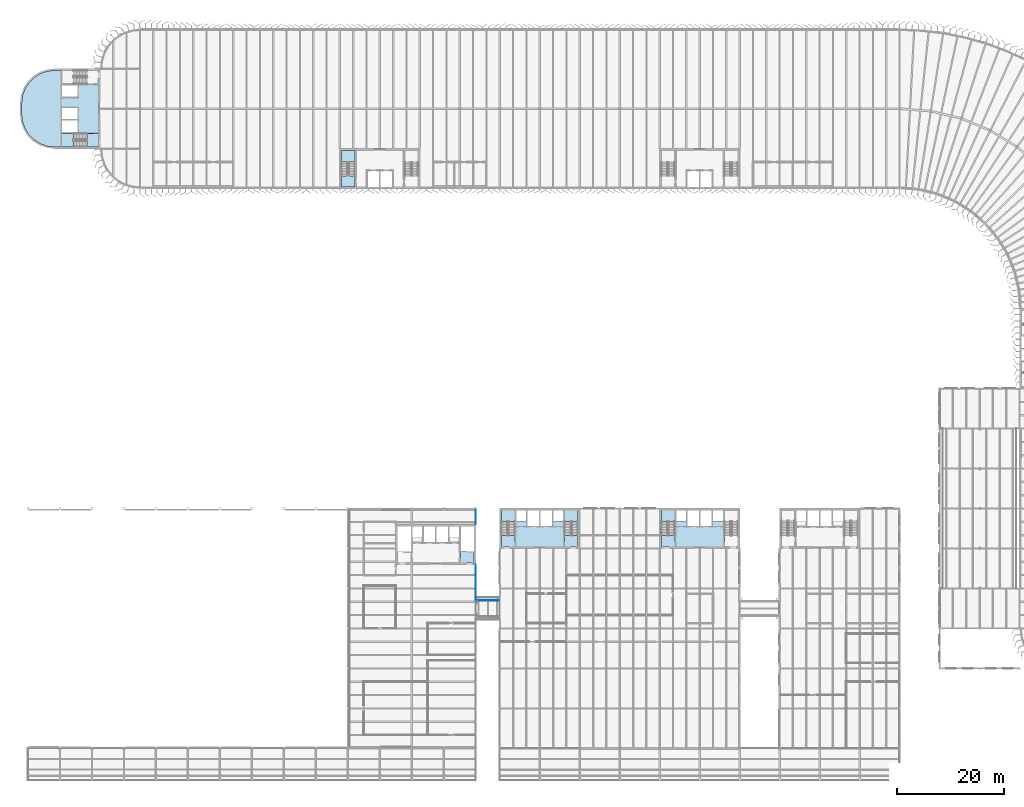
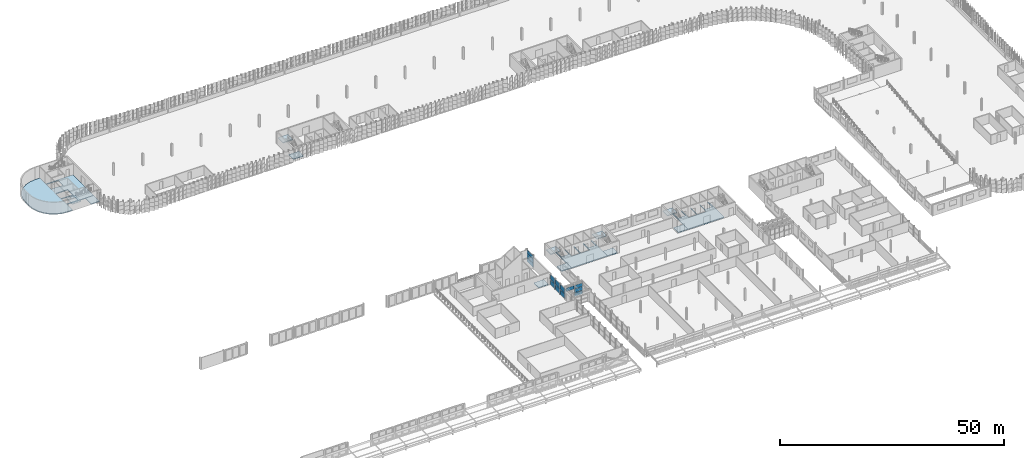
# One storey, part 58 of 214: 14 slabs, 13 plates, 9 elements without a shape of their own.
"""IFC4 building model written with IfcOpenShell, lengths in metres."""

from ifc_helpers import new_model, si_unit, direction, frame, origin, origin_2d, place, context, subcontext, project, spatial, polyline, rectangle, outline, extrude, material, layer, layer_set, type_object, element, aggregate, save


model = new_model("IFC4")

# Units and contexts
model_context = context("Model", 3, precision=1e-05, world=origin(), true_north=direction((0.0, 1.0)))
body_context = subcontext(model_context, "Body", "Model", "MODEL_VIEW")
ifc_project = project(units=[si_unit("LENGTHUNIT", "METRE"), si_unit("AREAUNIT", "SQUARE_METRE"), si_unit("VOLUMEUNIT", "CUBIC_METRE"), si_unit("PLANEANGLEUNIT", "RADIAN"), si_unit("MASSUNIT", "GRAM", prefix="KILO")], contexts=[model_context])

# Site, building, storey
site_placement = place(None, origin())
site = spatial("IfcSite", under=ifc_project, at=site_placement, CompositionType="ELEMENT")
building_placement = place(site_placement, origin())
building = spatial("IfcBuilding", under=site, at=building_placement, Name="Parallax Yard Mobility Hub", CompositionType="ELEMENT")
storey_placement = place(building_placement, frame((0.0, 0.0, 3.300048828125)))
storey = spatial("IfcBuildingStorey", under=building, at=storey_placement, Name="L01", CompositionType="ELEMENT", Elevation=3.300048828125)

# Slabs
ifc_material_1 = material(Name="Concrete fc' 35 MPa", Category="concrete")
ifc_layer_1 = layer(ifc_material_1, 0.199951171875)
ifc_layer_set_1 = layer_set([ifc_layer_1], Name="Core floor slab 200")
slab_type_1 = type_object("IfcSlabType", Name="Core floor slab 200", PredefinedType="FLOOR", material=ifc_layer_set_1)
slab_1_placement = place(storey_placement, frame((0.0, 0.0, -0.199951171875)))
element("IfcSlab", 1, at=slab_1_placement, inside=storey, type_object=slab_type_1, Name="Core C-W floor slab level L01", PredefinedType="FLOOR", context=body_context, shape_type="SweptSolid", body=[
    extrude(outline(polyline([(11.309814453125, 120.9140625), (10.13427734375, 121.652587890625), (9.152587890625, 122.63427734375), (8.4140625, 123.809814453125), (7.95556640625, 125.120361328125), (7.800048828125, 126.5), (7.800048828125, 128.5), (7.95556640625, 129.879638671875), (8.4140625, 131.190185546875), (9.152587890625, 132.36572265625), (10.13427734375, 133.347412109375), (11.309814453125, 134.0859375), (12.620361328125, 134.54443359375), (14.0, 134.699951171875), (15.300048828125, 134.699951171875), (15.300048828125, 132.14990234375), (22.199951171875, 132.14990234375), (22.199951171875, 122.85009765625), (15.300048828125, 122.85009765625), (15.300048828125, 120.300048828125), (14.0, 120.300048828125), (12.620361328125, 120.45556640625), (11.309814453125, 120.9140625)]), holes=[polyline([(18.300048828125, 123.10009765625), (18.300048828125, 125.300048828125), (15.300048828125, 125.300048828125), (15.300048828125, 123.10009765625), (18.300048828125, 123.10009765625)]), polyline([(15.300048828125, 125.5), (18.300048828125, 125.5), (18.300048828125, 127.699951171875), (15.300048828125, 127.699951171875), (15.300048828125, 125.5)]), polyline([(15.300048828125, 131.89990234375), (15.300048828125, 129.699951171875), (18.300048828125, 129.699951171875), (18.300048828125, 131.89990234375), (15.300048828125, 131.89990234375)])]), origin(), (0.0, 0.0, 1.0), 0.199951171875),
])
slab_2_placement = place(storey_placement, frame((0.0, 0.0, -0.199951171875)))
element("IfcSlab", 2, at=slab_2_placement, inside=storey, type_object=slab_type_1, Name="Core C6-W floor slab level L01", PredefinedType="FLOOR", context=body_context, shape_type="SweptSolid", body=[
    extrude(outline(polyline([(104.89990234375, 49.199951171875), (104.89990234375, 52.199951171875), (105.10009765625, 52.199951171875), (105.10009765625, 49.199951171875), (107.300048828125, 49.199951171875), (107.300048828125, 52.199951171875), (107.5, 52.199951171875), (107.5, 50.10009765625), (109.39990234375, 50.10009765625), (109.39990234375, 52.199951171875), (109.64990234375, 52.199951171875), (109.64990234375, 45.300048828125), (100.35009765625, 45.300048828125), (100.35009765625, 52.199951171875), (100.60009765625, 52.199951171875), (100.60009765625, 50.10009765625), (102.5, 50.10009765625), (102.5, 52.199951171875), (102.699951171875, 52.199951171875), (102.699951171875, 49.199951171875), (104.89990234375, 49.199951171875)])), origin(), (0.0, 0.0, 1.0), 0.199951171875),
])
slab_3_placement = place(storey_placement, frame((0.0, 0.0, -0.199951171875)))
element("IfcSlab", 3, at=slab_3_placement, inside=storey, type_object=slab_type_1, Name="Core C6-E floor slab level L01", PredefinedType="FLOOR", context=body_context, shape_type="SweptSolid", body=[
    extrude(outline(polyline([(134.89990234375, 49.199951171875), (134.89990234375, 52.199951171875), (135.10009765625, 52.199951171875), (135.10009765625, 49.199951171875), (137.300048828125, 49.199951171875), (137.300048828125, 52.199951171875), (137.5, 52.199951171875), (137.5, 50.10009765625), (139.39990234375, 50.10009765625), (139.39990234375, 52.199951171875), (139.64990234375, 52.199951171875), (139.64990234375, 45.300048828125), (130.35009765625, 45.300048828125), (130.35009765625, 52.199951171875), (130.60009765625, 52.199951171875), (130.60009765625, 50.10009765625), (132.5, 50.10009765625), (132.5, 52.199951171875), (132.699951171875, 52.199951171875), (132.699951171875, 49.199951171875), (134.89990234375, 49.199951171875)])), origin(), (0.0, 0.0, 1.0), 0.199951171875),
])

# Stair, slab
stair_type_1 = type_object("IfcStairType", Name="Exit stair 1200 dog-leg", PredefinedType="HALF_TURN_STAIR", material=ifc_material_1)
stair_1_placement = place(storey_placement, origin())
stair_1 = element("IfcStair", 4, at=stair_1_placement, inside=storey, type_object=stair_type_1, Name="L01 Exit stair 1 of core C-W", PredefinedType="HALF_TURN_STAIR")
ifc_layer_2 = layer(ifc_material_1, 0.199951171875)
ifc_layer_set_2 = layer_set([ifc_layer_2], Name="Exit stair landing 200")
slab_type_2 = type_object("IfcSlabType", Name="Exit stair landing 200", PredefinedType="LANDING", material=ifc_layer_set_2)
slab_4_placement = place(storey_placement, frame((0.0, 0.0, 1.449951171875)))
slab_4 = element("IfcSlab", 5, at=slab_4_placement, type_object=slab_type_2, Name="ST1 landing 1", PredefinedType="LANDING", context=body_context, shape_type="SweptSolid", body=[
    extrude(outline(polyline([(17.534912109375, 122.85009765625), (15.300048828125, 122.85009765625), (15.300048828125, 120.300048828125), (17.534912109375, 120.300048828125), (17.534912109375, 122.85009765625)])), origin(), (0.0, 0.0, 1.0), 0.199951171875),
])
aggregate(stair_1, [slab_4])

stair_2_placement = place(storey_placement, origin())
stair_2 = element("IfcStair", 6, at=stair_2_placement, inside=storey, type_object=stair_type_1, Name="L01 Exit stair 2 of core C-N1", PredefinedType="HALF_TURN_STAIR")
slab_5_placement = place(storey_placement, frame((0.0, 0.0, 1.449951171875)))
slab_5 = element("IfcSlab", 7, at=slab_5_placement, type_object=slab_type_2, Name="ST4 landing 1", PredefinedType="LANDING", context=body_context, shape_type="SweptSolid", body=[
    extrude(outline(polyline([(70.35009765625, 117.465087890625), (70.35009765625, 119.699951171875), (67.800048828125, 119.699951171875), (67.800048828125, 117.465087890625), (70.35009765625, 117.465087890625)])), origin(), (0.0, 0.0, 1.0), 0.199951171875),
])
aggregate(stair_2, [slab_5])

stair_type_2 = type_object("IfcStairType", Name="Sports deck stair 1200 dog-leg", PredefinedType="HALF_TURN_STAIR", material=ifc_material_1)
stair_3_placement = place(storey_placement, origin())
stair_3 = element("IfcStair", 8, at=stair_3_placement, inside=storey, type_object=stair_type_2, Name="L01 Exit stair 1 of core C6-W", PredefinedType="HALF_TURN_STAIR")
slab_6_placement = place(storey_placement, frame((0.0, 0.0, 1.449951171875)))
slab_6 = element("IfcSlab", 9, at=slab_6_placement, type_object=slab_type_2, Name="ST11 landing 1", PredefinedType="LANDING", context=body_context, shape_type="SweptSolid", body=[
    extrude(outline(polyline([(100.35009765625, 50.10009765625), (100.35009765625, 52.199951171875), (97.800048828125, 52.199951171875), (97.800048828125, 50.10009765625), (100.35009765625, 50.10009765625)])), origin(), (0.0, 0.0, 1.0), 0.199951171875),
])
aggregate(stair_3, [slab_6])

stair_4_placement = place(storey_placement, origin())
stair_4 = element("IfcStair", 10, at=stair_4_placement, inside=storey, type_object=stair_type_2, Name="L01 Exit stair 2 of core C6-W", PredefinedType="HALF_TURN_STAIR")
slab_7_placement = place(storey_placement, frame((0.0, 0.0, 1.449951171875)))
slab_7 = element("IfcSlab", 11, at=slab_7_placement, type_object=slab_type_2, Name="ST12 landing 1", PredefinedType="LANDING", context=body_context, shape_type="SweptSolid", body=[
    extrude(outline(polyline([(112.199951171875, 50.10009765625), (112.199951171875, 52.199951171875), (109.64990234375, 52.199951171875), (109.64990234375, 50.10009765625), (112.199951171875, 50.10009765625)])), origin(), (0.0, 0.0, 1.0), 0.199951171875),
])
aggregate(stair_4, [slab_7])

stair_5_placement = place(storey_placement, origin())
stair_5 = element("IfcStair", 12, at=stair_5_placement, inside=storey, type_object=stair_type_2, Name="L01 Exit stair 1 of core C6-E", PredefinedType="HALF_TURN_STAIR")
slab_8_placement = place(storey_placement, frame((0.0, 0.0, 1.449951171875)))
slab_8 = element("IfcSlab", 13, at=slab_8_placement, type_object=slab_type_2, Name="ST13 landing 1", PredefinedType="LANDING", context=body_context, shape_type="SweptSolid", body=[
    extrude(outline(polyline([(130.35009765625, 50.10009765625), (130.35009765625, 52.199951171875), (127.800048828125, 52.199951171875), (127.800048828125, 50.10009765625), (130.35009765625, 50.10009765625)])), origin(), (0.0, 0.0, 1.0), 0.199951171875),
])
aggregate(stair_5, [slab_8])

# Curtain wall, plate
ifc_material_2 = material(Name="Thermally broken aluminium curtain wall system", Category="aluminium")
curtain_wall_type_1 = type_object("IfcCurtainWallType", Name="Bridge curtain wall run 50 x 120 frame", PredefinedType="NOTDEFINED", material=ifc_material_2)
curtain_wall_1_placement = place(storey_placement, origin())
curtain_wall_1 = element("IfcCurtainWall", 14, at=curtain_wall_1_placement, inside=storey, type_object=curtain_wall_type_1, Name="Curtain wall run bridge BR1 north side level L01", PredefinedType="NOTDEFINED")
ifc_material_3 = material(Name="Laminated low-E double glazing", Category="glass")
ifc_layer_3 = layer(ifc_material_3, 0.02392578125)
ifc_layer_set_3 = layer_set([ifc_layer_3], Name="Glazing panel 24")
plate_type_1 = type_object("IfcPlateType", Name="Glazing panel 24", PredefinedType="CURTAIN_PANEL", material=ifc_layer_set_3)
plate_1_placement = place(storey_placement, frame((94.206298828125, 35.25, 2.0888671875), z_axis=(0.0, 0.0, 1.0), x_axis=(1.0, 0.0, 0.0)))
plate_1 = element("IfcPlate", 15, at=plate_1_placement, type_object=plate_type_1, Name="CW2 panel 1.3", PredefinedType="CURTAIN_PANEL", context=body_context, shape_type="SweptSolid", body=[
    extrude(rectangle(XDim=2.012451171875, YDim=0.02392578125, at=origin_2d()), origin(), (0.0, 0.0, 1.0), 0.95703125),
])
aggregate(curtain_wall_1, [plate_1])

# Curtain wall, plates
curtain_wall_2_placement = place(storey_placement, origin())
curtain_wall_2 = element("IfcCurtainWall", 16, at=curtain_wall_2_placement, inside=storey, type_object=curtain_wall_type_1, Name="Curtain wall run bridge BR1 north side level L01", PredefinedType="NOTDEFINED")
plate_2_placement = place(storey_placement, frame((96.31884765625, 35.25, 0.050048828125), z_axis=(0.0, 0.0, 1.0), x_axis=(1.0, 0.0, 0.0)))
plate_2 = element("IfcPlate", 17, at=plate_2_placement, type_object=plate_type_1, Name="CW2 panel 1.1", PredefinedType="CURTAIN_PANEL", context=body_context, shape_type="SweptSolid", body=[
    extrude(rectangle(XDim=2.012451171875, YDim=0.02392578125, at=origin_2d()), origin(), (0.0, 0.0, 1.0), 0.95703125),
])
plate_3_placement = place(storey_placement, frame((96.31884765625, 35.25, 1.056884765625), z_axis=(0.0, 0.0, 1.0), x_axis=(1.0, 0.0, 0.0)))
plate_3 = element("IfcPlate", 18, at=plate_3_placement, type_object=plate_type_1, Name="CW2 panel 1.2", PredefinedType="CURTAIN_PANEL", context=body_context, shape_type="SweptSolid", body=[
    extrude(rectangle(XDim=2.012451171875, YDim=0.02392578125, at=origin_2d()), origin(), (0.0, 0.0, 1.0), 0.98193359375),
])
plate_4_placement = place(storey_placement, frame((96.31884765625, 35.25, 2.0888671875), z_axis=(0.0, 0.0, 1.0), x_axis=(1.0, 0.0, 0.0)))
plate_4 = element("IfcPlate", 19, at=plate_4_placement, type_object=plate_type_1, Name="CW2 panel 1.3", PredefinedType="CURTAIN_PANEL", context=body_context, shape_type="SweptSolid", body=[
    extrude(rectangle(XDim=2.012451171875, YDim=0.02392578125, at=origin_2d()), origin(), (0.0, 0.0, 1.0), 0.95703125),
])
aggregate(curtain_wall_2, [plate_2, plate_3, plate_4])

curtain_wall_type_2 = type_object("IfcCurtainWallType", Name="Curtain wall run 60 x 160 frame", PredefinedType="NOTDEFINED", material=ifc_material_2)
curtain_wall_3_placement = place(storey_placement, origin())
curtain_wall_3 = element("IfcCurtainWall", 20, at=curtain_wall_3_placement, inside=storey, type_object=curtain_wall_type_2, Name="Curtain wall run Bus and taxi deck east end bay 1 level L01", PredefinedType="NOTDEFINED")
ifc_layer_4 = layer(ifc_material_3, 0.028076171875)
ifc_layer_set_4 = layer_set([ifc_layer_4], Name="Glazing panel 28")
plate_type_2 = type_object("IfcPlateType", Name="Glazing panel 28", PredefinedType="CURTAIN_PANEL", material=ifc_layer_set_4)
plate_5_placement = place(storey_placement, frame((93.0, 36.389892578125, 0.06005859375), z_axis=(0.0, 0.0, 1.0), x_axis=(0.0, 1.0, 0.0)))
plate_5 = element("IfcPlate", 21, at=plate_5_placement, type_object=plate_type_2, Name="CW1 panel 1.1", PredefinedType="CURTAIN_PANEL", context=body_context, shape_type="SweptSolid", body=[
    extrude(rectangle(XDim=2.159912109375, YDim=0.028076171875, at=origin_2d()), origin(), (0.0, 0.0, 1.0), 1.35693359375),
])
plate_6_placement = place(storey_placement, frame((93.0, 36.389892578125, 1.47705078125), z_axis=(0.0, 0.0, 1.0), x_axis=(0.0, 1.0, 0.0)))
plate_6 = element("IfcPlate", 22, at=plate_6_placement, type_object=plate_type_2, Name="CW1 panel 1.2", PredefinedType="CURTAIN_PANEL", context=body_context, shape_type="SweptSolid", body=[
    extrude(rectangle(XDim=2.159912109375, YDim=0.028076171875, at=origin_2d()), origin(), (0.0, 0.0, 1.0), 1.35693359375),
])
plate_7_placement = place(storey_placement, frame((93.0, 38.625, 0.06005859375), z_axis=(0.0, 0.0, 1.0), x_axis=(0.0, 1.0, 0.0)))
plate_7 = element("IfcPlate", 23, at=plate_7_placement, type_object=plate_type_2, Name="CW1 panel 2.1", PredefinedType="CURTAIN_PANEL", context=body_context, shape_type="SweptSolid", body=[
    extrude(rectangle(XDim=2.18994140625, YDim=0.028076171875, at=origin_2d()), origin(), (0.0, 0.0, 1.0), 1.35693359375),
])
plate_8_placement = place(storey_placement, frame((93.0, 38.625, 1.47705078125), z_axis=(0.0, 0.0, 1.0), x_axis=(0.0, 1.0, 0.0)))
plate_8 = element("IfcPlate", 24, at=plate_8_placement, type_object=plate_type_2, Name="CW1 panel 2.2", PredefinedType="CURTAIN_PANEL", context=body_context, shape_type="SweptSolid", body=[
    extrude(rectangle(XDim=2.18994140625, YDim=0.028076171875, at=origin_2d()), origin(), (0.0, 0.0, 1.0), 1.35693359375),
])
plate_9_placement = place(storey_placement, frame((93.0, 40.860107421875, 0.06005859375), z_axis=(0.0, 0.0, 1.0), x_axis=(0.0, 1.0, 0.0)))
plate_9 = element("IfcPlate", 25, at=plate_9_placement, type_object=plate_type_2, Name="CW1 panel 3.1", PredefinedType="CURTAIN_PANEL", context=body_context, shape_type="SweptSolid", body=[
    extrude(rectangle(XDim=2.159912109375, YDim=0.028076171875, at=origin_2d()), origin(), (0.0, 0.0, 1.0), 1.35693359375),
])
plate_10_placement = place(storey_placement, frame((93.0, 40.860107421875, 1.47705078125), z_axis=(0.0, 0.0, 1.0), x_axis=(0.0, 1.0, 0.0)))
plate_10 = element("IfcPlate", 26, at=plate_10_placement, type_object=plate_type_2, Name="CW1 panel 3.2", PredefinedType="CURTAIN_PANEL", context=body_context, shape_type="SweptSolid", body=[
    extrude(rectangle(XDim=2.159912109375, YDim=0.028076171875, at=origin_2d()), origin(), (0.0, 0.0, 1.0), 1.35693359375),
])
aggregate(curtain_wall_3, [plate_5, plate_6, plate_7, plate_8, plate_9, plate_10])

curtain_wall_4_placement = place(storey_placement, origin())
curtain_wall_4 = element("IfcCurtainWall", 27, at=curtain_wall_4_placement, inside=storey, type_object=curtain_wall_type_2, Name="Curtain wall run Bus and taxi deck east end bay 2 level L01", PredefinedType="NOTDEFINED")
plate_11_placement = place(storey_placement, frame((93.0, 50.90673828125, 0.06005859375), z_axis=(0.0, 0.0, 1.0), x_axis=(0.0, 1.0, 0.0)))
plate_11 = element("IfcPlate", 28, at=plate_11_placement, type_object=plate_type_2, Name="CW1 panel 1.1", PredefinedType="CURTAIN_PANEL", context=body_context, shape_type="SweptSolid", body=[
    extrude(rectangle(XDim=2.693603515625, YDim=0.028076171875, at=origin_2d()), origin(), (0.0, 0.0, 1.0), 1.010009765625),
])
plate_12_placement = place(storey_placement, frame((93.0, 50.90673828125, 1.1298828125), z_axis=(0.0, 0.0, 1.0), x_axis=(0.0, 1.0, 0.0)))
plate_12 = element("IfcPlate", 29, at=plate_12_placement, type_object=plate_type_2, Name="CW1 panel 1.2", PredefinedType="CURTAIN_PANEL", context=body_context, shape_type="SweptSolid", body=[
    extrude(rectangle(XDim=2.693603515625, YDim=0.028076171875, at=origin_2d()), origin(), (0.0, 0.0, 1.0), 1.0400390625),
])
plate_13_placement = place(storey_placement, frame((93.0, 50.90673828125, 2.22998046875), z_axis=(0.0, 0.0, 1.0), x_axis=(0.0, 1.0, 0.0)))
plate_13 = element("IfcPlate", 30, at=plate_13_placement, type_object=plate_type_2, Name="CW1 panel 1.3", PredefinedType="CURTAIN_PANEL", context=body_context, shape_type="SweptSolid", body=[
    extrude(rectangle(XDim=2.693603515625, YDim=0.028076171875, at=origin_2d()), origin(), (0.0, 0.0, 1.0), 1.010009765625),
])
aggregate(curtain_wall_4, [plate_11, plate_12, plate_13])

# Slabs
ifc_layer_5 = layer(ifc_material_1, 0.199951171875)
ifc_layer_set_5 = layer_set([ifc_layer_5], Name="Stair floor landing slab 200")
slab_type_3 = type_object("IfcSlabType", Name="Stair floor landing slab 200", PredefinedType="FLOOR", material=ifc_layer_set_5)
slab_9_placement = place(storey_placement, frame((0.0, 0.0, -0.199951171875)))
element("IfcSlab", 31, at=slab_9_placement, inside=storey, type_object=slab_type_3, Name="Core C-W exit stair 1 floor landing level L01", PredefinedType="FLOOR", context=body_context, shape_type="SweptSolid", body=[
    extrude(outline(polyline([(20.10009765625, 120.300048828125), (20.10009765625, 122.85009765625), (22.199951171875, 122.85009765625), (22.199951171875, 120.300048828125), (20.10009765625, 120.300048828125)])), origin(), (0.0, 0.0, 1.0), 0.199951171875),
])
slab_10_placement = place(storey_placement, frame((0.0, 0.0, -0.199951171875)))
element("IfcSlab", 32, at=slab_10_placement, inside=storey, type_object=slab_type_3, Name="Core C-N1 exit stair 2 floor landing level L01", PredefinedType="FLOOR", context=body_context, shape_type="SweptSolid", body=[
    extrude(outline(polyline([(67.800048828125, 114.89990234375), (67.800048828125, 112.800048828125), (70.35009765625, 112.800048828125), (70.35009765625, 114.89990234375), (67.800048828125, 114.89990234375)])), origin(), (0.0, 0.0, 1.0), 0.199951171875),
])
slab_11_placement = place(storey_placement, frame((0.0, 0.0, -0.199951171875)))
element("IfcSlab", 33, at=slab_11_placement, inside=storey, type_object=slab_type_3, Name="Core C6-W exit stair 1 floor landing level L01", PredefinedType="FLOOR", context=body_context, shape_type="SweptSolid", body=[
    extrude(outline(polyline([(100.35009765625, 45.300048828125), (100.35009765625, 47.39990234375), (97.800048828125, 47.39990234375), (97.800048828125, 45.300048828125), (100.35009765625, 45.300048828125)])), origin(), (0.0, 0.0, 1.0), 0.199951171875),
])
slab_12_placement = place(storey_placement, frame((0.0, 0.0, -0.199951171875)))
element("IfcSlab", 34, at=slab_12_placement, inside=storey, type_object=slab_type_3, Name="Core C6-W exit stair 2 floor landing level L01", PredefinedType="FLOOR", context=body_context, shape_type="SweptSolid", body=[
    extrude(outline(polyline([(112.199951171875, 45.300048828125), (112.199951171875, 47.39990234375), (109.64990234375, 47.39990234375), (109.64990234375, 45.300048828125), (112.199951171875, 45.300048828125)])), origin(), (0.0, 0.0, 1.0), 0.199951171875),
])
slab_13_placement = place(storey_placement, frame((0.0, 0.0, -0.199951171875)))
element("IfcSlab", 35, at=slab_13_placement, inside=storey, type_object=slab_type_3, Name="Core C6-E exit stair 1 floor landing level L01", PredefinedType="FLOOR", context=body_context, shape_type="SweptSolid", body=[
    extrude(outline(polyline([(130.35009765625, 45.300048828125), (130.35009765625, 47.39990234375), (127.800048828125, 47.39990234375), (127.800048828125, 45.300048828125), (130.35009765625, 45.300048828125)])), origin(), (0.0, 0.0, 1.0), 0.199951171875),
])
slab_14_placement = place(storey_placement, frame((0.0, 0.0, -0.199951171875)))
element("IfcSlab", 36, at=slab_14_placement, inside=storey, type_object=slab_type_3, Name="Core C1 exit stair 2 floor landing level L01", PredefinedType="FLOOR", context=body_context, shape_type="SweptSolid", body=[
    extrude(outline(polyline([(92.699951171875, 42.300048828125), (92.699951171875, 44.39990234375), (90.14990234375, 44.39990234375), (90.14990234375, 42.300048828125), (92.699951171875, 42.300048828125)])), origin(), (0.0, 0.0, 1.0), 0.199951171875),
])

save(model, "model.ifc")
